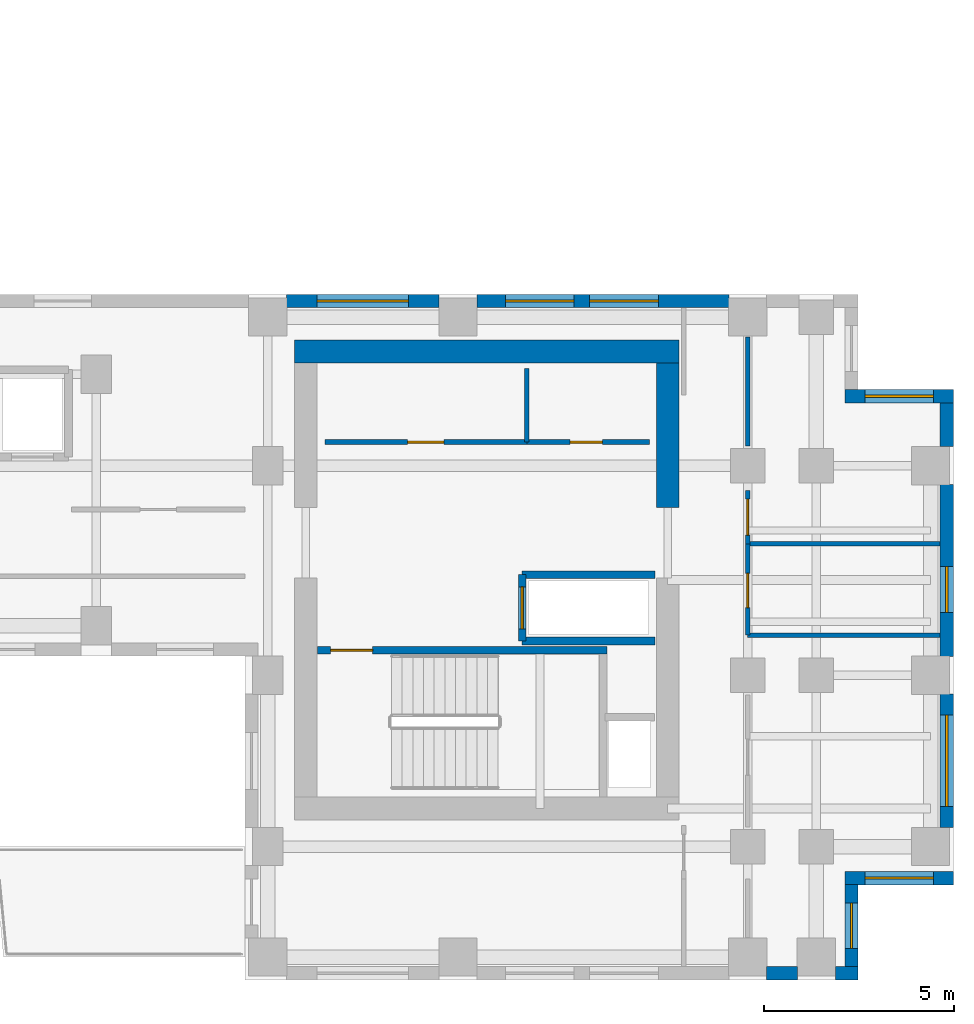
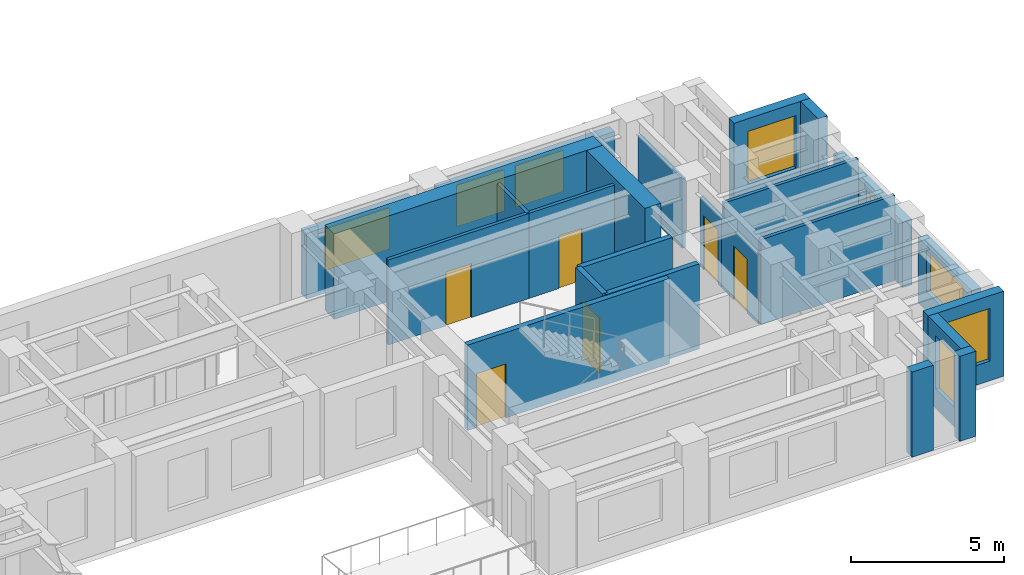
# One storey, part 7 of 12: 24 walls, 8 windows, 6 doors, 14 openings.
"""IFC4 building model written with IfcOpenShell, lengths in metres."""

from ifc_helpers import new_model, si_unit, direction, frame, frame_2d, origin, place, context, subcontext, project, spatial, rectangle, extrude, source, transform, mapped, material, layer, layer_set, type_object, element, fill, save


model = new_model("IFC4")

# Units and contexts
model_context = context("Model", 3, precision=1e-05, world=origin(), true_north=direction((0.0, 1.0)))
body_context = subcontext(model_context, "Body", "Model", "MODEL_VIEW")
ifc_project = project(units=[si_unit("LENGTHUNIT", "METRE"), si_unit("AREAUNIT", "SQUARE_METRE"), si_unit("VOLUMEUNIT", "CUBIC_METRE"), si_unit("PLANEANGLEUNIT", "RADIAN"), si_unit("MASSUNIT", "GRAM", prefix="KILO")], contexts=[model_context])

# Site, building, storey
site_placement = place(None, origin())
site = spatial("IfcSite", under=ifc_project, at=site_placement, CompositionType="ELEMENT")
building_placement = place(site_placement, origin())
building = spatial("IfcBuilding", under=site, at=building_placement, Name="Kharzan Plaza Tower", CompositionType="ELEMENT")
storey_placement = place(building_placement, frame((0.0, 0.0, 164.699951171875)))
storey = spatial("IfcBuildingStorey", under=building, at=storey_placement, Name="L44", CompositionType="ELEMENT", Elevation=164.699951171875)

# Wall, opening, window
ifc_material_1 = material(Name="Concrete C40/50", Category="concrete")
ifc_layer_1 = layer(ifc_material_1, 0.35009765625)
ifc_layer_set_1 = layer_set([ifc_layer_1], Name="Concrete C40/50")
wall_type_1 = type_object("IfcWallType", Name="WL-EXT-MAS-Z3", PredefinedType="SOLIDWALL", material=ifc_layer_set_1)
wall_1_placement = place(storey_placement, frame((50.324951171875, 0.347900390625, 0.0), z_axis=(0.0, 0.0, 1.0), x_axis=(0.0, 1.0, 0.0)))
wall_1 = element("IfcWall", 1, at=wall_1_placement, inside=storey, type_object=wall_type_1, Name="L44 Masonry-Frame Exterior Wall 35", PredefinedType="SOLIDWALL", context=body_context, shape_type="SweptSolid", body=[
    extrude(rectangle(XDim=2.154052734375, YDim=0.35009765625, at=frame_2d((1.0771484375, 0.0))), origin(), (0.0, 0.0, 1.0), 3.385009765625),
])
opening_1_placement = place(wall_1_placement, frame((0.47705078125, 0.0, 0.780029296875)))
opening_1 = element("IfcOpeningElement", 2, at=opening_1_placement, cuts=wall_1, Name="Opening W3", PredefinedType="OPENING", context=body_context, shape_type="SweptSolid", body=[
    extrude(rectangle(XDim=1.199951171875, YDim=2.10009765625, at=frame_2d((0.60009765625, 1.050048828125))), frame((0.0, 0.18505859375, 0.0), z_axis=(0.0, -1.0, 0.0), x_axis=(1.0, 0.0, 0.0)), (0.0, 0.0, 1.0), 0.3701171875),
])
ifc_material_2 = material(Name="Low-E Double Glazing", Category="glass")
window_type_1 = type_object("IfcWindowType", Name="WN-REC-1200x2100", PartitioningType="SINGLE_PANEL", PredefinedType="WINDOW", material=ifc_material_2)
shared_shape_1 = source(origin(), body_context, "Body", "SweptSolid", [
    extrude(rectangle(XDim=1.199951171875, YDim=2.10009765625, at=frame_2d((0.60009765625, 1.050048828125))), frame((0.0, 0.030029296875, 0.0), z_axis=(0.0, -1.0, 0.0), x_axis=(1.0, 0.0, 0.0)), (0.0, 0.0, 1.0), 0.06005859375),
])
window_1_placement = place(opening_1_placement, origin())
window_1 = element("IfcWindow", 3, at=window_1_placement, inside=storey, type_object=window_type_1, Name="L44 Recessed Solar-Control Window 35-1", OverallHeight=2.10009765625, OverallWidth=1.199951171875, PartitioningType="SINGLE_PANEL", PredefinedType="WINDOW", context=body_context, shape_type="MappedRepresentation", body=[
    mapped(shared_shape_1, transform((0.0, 0.0, 0.0), x_axis=(1.0, 0.0, 0.0), y_axis=(0.0, 1.0, 0.0), z_axis=(0.0, 0.0, 1.0))),
])
fill(opening_1, window_1)

wall_2_placement = place(storey_placement, frame((50.14990234375, 2.675048828125, 0.0), z_axis=(0.0, 0.0, 1.0), x_axis=(1.0, 0.0, 0.0)))
wall_2 = element("IfcWall", 4, at=wall_2_placement, inside=storey, type_object=wall_type_1, Name="L44 Masonry-Frame Exterior Wall 36", PredefinedType="SOLIDWALL", context=body_context, shape_type="SweptSolid", body=[
    extrude(rectangle(XDim=2.85009765625, YDim=0.35009765625, at=frame_2d((1.425048828125, 0.0))), origin(), (0.0, 0.0, 1.0), 3.385009765625),
])
opening_2_placement = place(wall_2_placement, frame((0.52490234375, 0.0, 0.780029296875)))
opening_2 = element("IfcOpeningElement", 5, at=opening_2_placement, cuts=wall_2, Name="Opening W1", PredefinedType="OPENING", context=body_context, shape_type="SweptSolid", body=[
    extrude(rectangle(XDim=1.800048828125, YDim=2.10009765625, at=frame_2d((0.89990234375, 1.050048828125))), frame((0.0, 0.18505859375, 0.0), z_axis=(0.0, -1.0, 0.0), x_axis=(1.0, 0.0, 0.0)), (0.0, 0.0, 1.0), 0.3701171875),
])
window_type_2 = type_object("IfcWindowType", Name="WN-REC-1800x2100", PartitioningType="SINGLE_PANEL", PredefinedType="WINDOW", material=ifc_material_2)
shared_shape_2 = source(origin(), body_context, "Body", "SweptSolid", [
    extrude(rectangle(XDim=1.800048828125, YDim=2.10009765625, at=frame_2d((0.89990234375, 1.050048828125))), frame((0.0, 0.030029296875, 0.0), z_axis=(0.0, -1.0, 0.0), x_axis=(1.0, 0.0, 0.0)), (0.0, 0.0, 1.0), 0.06005859375),
])
window_2_placement = place(opening_2_placement, origin())
window_2 = element("IfcWindow", 6, at=window_2_placement, inside=storey, type_object=window_type_2, Name="L44 Recessed Solar-Control Window 36-1", OverallHeight=2.10009765625, OverallWidth=1.800048828125, PartitioningType="SINGLE_PANEL", PredefinedType="WINDOW", context=body_context, shape_type="MappedRepresentation", body=[
    mapped(shared_shape_2, transform((0.0, 0.0, 0.0), x_axis=(1.0, 0.0, 0.0), y_axis=(0.0, 1.0, 0.0), z_axis=(0.0, 0.0, 1.0))),
])
fill(opening_2, window_2)

wall_3_placement = place(storey_placement, frame((52.824951171875, 3.998046875, 0.0), z_axis=(0.0, 0.0, 1.0), x_axis=(0.0, 1.0, 0.0)))
wall_3 = element("IfcWall", 7, at=wall_3_placement, inside=storey, type_object=wall_type_1, Name="L44 Masonry-Frame Exterior Wall 37", PredefinedType="SOLIDWALL", context=body_context, shape_type="SweptSolid", body=[
    extrude(rectangle(XDim=3.50390625, YDim=0.35009765625, at=frame_2d((1.751953125, 0.0))), origin(), (0.0, 0.0, 1.0), 2.612060546875),
])
opening_3_placement = place(wall_3_placement, frame((0.552001953125, 0.0, 0.780029296875)))
opening_3 = element("IfcOpeningElement", 8, at=opening_3_placement, cuts=wall_3, Name="Opening W2", PredefinedType="OPENING", context=body_context, shape_type="SweptSolid", body=[
    extrude(rectangle(XDim=2.39990234375, YDim=1.652099609375, at=frame_2d((1.199951171875, 0.826171875))), frame((0.0, 0.18505859375, 0.0), z_axis=(0.0, -1.0, 0.0), x_axis=(1.0, 0.0, 0.0)), (0.0, 0.0, 1.0), 0.3701171875),
])
window_type_3 = type_object("IfcWindowType", Name="WN-REC-2400x2100", PartitioningType="SINGLE_PANEL", PredefinedType="WINDOW", material=ifc_material_2)
shared_shape_3 = source(origin(), body_context, "Body", "SweptSolid", [
    extrude(rectangle(XDim=2.39990234375, YDim=1.652099609375, at=frame_2d((1.199951171875, 0.826171875))), frame((0.0, 0.030029296875, 0.0), z_axis=(0.0, -1.0, 0.0), x_axis=(1.0, 0.0, 0.0)), (0.0, 0.0, 1.0), 0.06005859375),
])
window_3_placement = place(opening_3_placement, origin())
window_3 = element("IfcWindow", 9, at=window_3_placement, inside=storey, type_object=window_type_3, Name="L44 Wide Recessed Solar-Control Window 37-1", OverallHeight=1.652099609375, OverallWidth=2.39990234375, PartitioningType="SINGLE_PANEL", PredefinedType="WINDOW", context=body_context, shape_type="MappedRepresentation", body=[
    mapped(shared_shape_3, transform((0.0, 0.0, 0.0), x_axis=(1.0, 0.0, 0.0), y_axis=(0.0, 1.0, 0.0), z_axis=(0.0, 0.0, 1.0))),
])
fill(opening_3, window_3)

wall_4_placement = place(storey_placement, frame((52.824951171875, 8.498046875, 0.0), z_axis=(0.0, 0.0, 1.0), x_axis=(0.0, 1.0, 0.0)))
wall_4 = element("IfcWall", 10, at=wall_4_placement, inside=storey, type_object=wall_type_1, Name="L44 Masonry-Frame Exterior Wall 38", PredefinedType="SOLIDWALL", context=body_context, shape_type="SweptSolid", body=[
    extrude(rectangle(XDim=4.50390625, YDim=0.35009765625, at=frame_2d((2.251953125, 0.0))), origin(), (0.0, 0.0, 1.0), 2.612060546875),
])
opening_4_placement = place(wall_4_placement, frame((1.152099609375, 0.0, 0.780029296875)))
opening_4 = element("IfcOpeningElement", 11, at=opening_4_placement, cuts=wall_4, Name="Opening W3", PredefinedType="OPENING", context=body_context, shape_type="SweptSolid", body=[
    extrude(rectangle(XDim=1.199951171875, YDim=1.652099609375, at=frame_2d((0.60009765625, 0.826171875))), frame((0.0, 0.18505859375, 0.0), z_axis=(0.0, -1.0, 0.0), x_axis=(1.0, 0.0, 0.0)), (0.0, 0.0, 1.0), 0.3701171875),
])
shared_shape_4 = source(origin(), body_context, "Body", "SweptSolid", [
    extrude(rectangle(XDim=1.199951171875, YDim=1.652099609375, at=frame_2d((0.60009765625, 0.826171875))), frame((0.0, 0.030029296875, 0.0), z_axis=(0.0, -1.0, 0.0), x_axis=(1.0, 0.0, 0.0)), (0.0, 0.0, 1.0), 0.06005859375),
])
window_4_placement = place(opening_4_placement, origin())
window_4 = element("IfcWindow", 12, at=window_4_placement, inside=storey, type_object=window_type_1, Name="L44 Recessed Solar-Control Window 38-1", OverallHeight=1.652099609375, OverallWidth=1.199951171875, PartitioningType="SINGLE_PANEL", PredefinedType="WINDOW", context=body_context, shape_type="MappedRepresentation", body=[
    mapped(shared_shape_4, transform((0.0, 0.0, 0.0), x_axis=(1.0, 0.0, 0.0), y_axis=(0.0, 1.0, 0.0), z_axis=(0.0, 0.0, 1.0))),
])
fill(opening_4, window_4)

wall_5_placement = place(storey_placement, frame((53.0, 15.324951171875, 0.0), z_axis=(0.0, 0.0, 1.0), x_axis=(-1.0, 0.0, 0.0)))
wall_5 = element("IfcWall", 13, at=wall_5_placement, inside=storey, type_object=wall_type_1, Name="L44 Masonry-Frame Exterior Wall 40", PredefinedType="SOLIDWALL", context=body_context, shape_type="SweptSolid", body=[
    extrude(rectangle(XDim=2.85009765625, YDim=0.35009765625, at=frame_2d((1.425048828125, 0.0))), origin(), (0.0, 0.0, 1.0), 3.385009765625),
])
opening_5_placement = place(wall_5_placement, frame((0.52490234375, 0.0, 0.780029296875)))
opening_5 = element("IfcOpeningElement", 14, at=opening_5_placement, cuts=wall_5, Name="Opening W1", PredefinedType="OPENING", context=body_context, shape_type="SweptSolid", body=[
    extrude(rectangle(XDim=1.800048828125, YDim=2.10009765625, at=frame_2d((0.89990234375, 1.050048828125))), frame((0.0, 0.18505859375, 0.0), z_axis=(0.0, -1.0, 0.0), x_axis=(1.0, 0.0, 0.0)), (0.0, 0.0, 1.0), 0.3701171875),
])
window_5_placement = place(opening_5_placement, origin())
window_5 = element("IfcWindow", 15, at=window_5_placement, inside=storey, type_object=window_type_2, Name="L44 Recessed Solar-Control Window 40-1", OverallHeight=2.10009765625, OverallWidth=1.800048828125, PartitioningType="SINGLE_PANEL", PredefinedType="WINDOW", context=body_context, shape_type="MappedRepresentation", body=[
    mapped(shared_shape_2, transform((0.0, 0.0, 0.0), x_axis=(1.0, 0.0, 0.0), y_axis=(0.0, 1.0, 0.0), z_axis=(0.0, 0.0, 1.0))),
])
fill(opening_5, window_5)

# Wall, openings, windows
wall_6_placement = place(storey_placement, frame((47.10205078125, 17.824951171875, 0.0), z_axis=(0.0, 0.0, 1.0), x_axis=(-1.0, 0.0, 0.0)))
wall_6 = element("IfcWall", 16, at=wall_6_placement, inside=storey, type_object=wall_type_1, Name="L44 Masonry-Frame Exterior Wall 44", PredefinedType="SOLIDWALL", context=body_context, shape_type="SweptSolid", body=[
    extrude(rectangle(XDim=6.60400390625, YDim=0.35009765625, at=frame_2d((3.302001953125, 0.0))), origin(), (0.0, 0.0, 1.0), 2.612060546875),
])
opening_6_placement = place(wall_6_placement, frame((1.849365234375, 0.0, 0.780029296875)))
opening_6 = element("IfcOpeningElement", 17, at=opening_6_placement, cuts=wall_6, Name="Opening W1", PredefinedType="OPENING", context=body_context, shape_type="SweptSolid", body=[
    extrude(rectangle(XDim=1.800048828125, YDim=1.652099609375, at=frame_2d((0.89990234375, 0.826171875))), frame((0.0, 0.18505859375, 0.0), z_axis=(0.0, -1.0, 0.0), x_axis=(1.0, 0.0, 0.0)), (0.0, 0.0, 1.0), 0.3701171875),
])
opening_7_placement = place(wall_6_placement, frame((4.066650390625, 0.0, 0.780029296875)))
opening_7 = element("IfcOpeningElement", 18, at=opening_7_placement, cuts=wall_6, Name="Opening W1", PredefinedType="OPENING", context=body_context, shape_type="SweptSolid", body=[
    extrude(rectangle(XDim=1.800048828125, YDim=1.652099609375, at=frame_2d((0.89990234375, 0.826171875))), frame((0.0, 0.18505859375, 0.0), z_axis=(0.0, -1.0, 0.0), x_axis=(1.0, 0.0, 0.0)), (0.0, 0.0, 1.0), 0.3701171875),
])
shared_shape_5 = source(origin(), body_context, "Body", "SweptSolid", [
    extrude(rectangle(XDim=1.800048828125, YDim=1.652099609375, at=frame_2d((0.89990234375, 0.826171875))), frame((0.0, 0.030029296875, 0.0), z_axis=(0.0, -1.0, 0.0), x_axis=(1.0, 0.0, 0.0)), (0.0, 0.0, 1.0), 0.06005859375),
])
window_6_placement = place(opening_6_placement, origin())
window_6 = element("IfcWindow", 19, at=window_6_placement, inside=storey, type_object=window_type_2, Name="L44 Recessed Solar-Control Window 44-1", OverallHeight=1.652099609375, OverallWidth=1.800048828125, PartitioningType="SINGLE_PANEL", PredefinedType="WINDOW", context=body_context, shape_type="MappedRepresentation", body=[
    mapped(shared_shape_5, transform((0.0, 0.0, 0.0), x_axis=(1.0, 0.0, 0.0), y_axis=(0.0, 1.0, 0.0), z_axis=(0.0, 0.0, 1.0))),
])
fill(opening_6, window_6)
window_7_placement = place(opening_7_placement, origin())
window_7 = element("IfcWindow", 20, at=window_7_placement, inside=storey, type_object=window_type_2, Name="L44 Recessed Solar-Control Window 44-2", OverallHeight=1.652099609375, OverallWidth=1.800048828125, PartitioningType="SINGLE_PANEL", PredefinedType="WINDOW", context=body_context, shape_type="MappedRepresentation", body=[
    mapped(shared_shape_5, transform((0.0, 0.0, 0.0), x_axis=(1.0, 0.0, 0.0), y_axis=(0.0, 1.0, 0.0), z_axis=(0.0, 0.0, 1.0))),
])
fill(opening_7, window_7)

# Wall, opening, window
wall_7_placement = place(storey_placement, frame((39.501953125, 17.824951171875, 0.0), z_axis=(0.0, 0.0, 1.0), x_axis=(-1.0, 0.0, 0.0)))
wall_7 = element("IfcWall", 21, at=wall_7_placement, inside=storey, type_object=wall_type_1, Name="L44 Masonry-Frame Exterior Wall 45", PredefinedType="SOLIDWALL", context=body_context, shape_type="SweptSolid", body=[
    extrude(rectangle(XDim=4.00390625, YDim=0.35009765625, at=frame_2d((2.001953125, 0.0))), origin(), (0.0, 0.0, 1.0), 2.612060546875),
])
opening_8_placement = place(wall_7_placement, frame((0.802001953125, 0.0, 0.780029296875)))
opening_8 = element("IfcOpeningElement", 22, at=opening_8_placement, cuts=wall_7, Name="Opening W2", PredefinedType="OPENING", context=body_context, shape_type="SweptSolid", body=[
    extrude(rectangle(XDim=2.39990234375, YDim=1.652099609375, at=frame_2d((1.199951171875, 0.826171875))), frame((0.0, 0.18505859375, 0.0), z_axis=(0.0, -1.0, 0.0), x_axis=(1.0, 0.0, 0.0)), (0.0, 0.0, 1.0), 0.3701171875),
])
window_8_placement = place(opening_8_placement, origin())
window_8 = element("IfcWindow", 23, at=window_8_placement, inside=storey, type_object=window_type_3, Name="L44 Wide Recessed Solar-Control Window 45-1", OverallHeight=1.652099609375, OverallWidth=2.39990234375, PartitioningType="SINGLE_PANEL", PredefinedType="WINDOW", context=body_context, shape_type="MappedRepresentation", body=[
    mapped(shared_shape_3, transform((0.0, 0.0, 0.0), x_axis=(1.0, 0.0, 0.0), y_axis=(0.0, 1.0, 0.0), z_axis=(0.0, 0.0, 1.0))),
])
fill(opening_8, window_8)

# Wall, opening, door
ifc_material_3 = material(Name="Fire-Rated Gypsum Board Partition", Category="gypsum")
ifc_layer_2 = layer(ifc_material_3, 0.125)
ifc_layer_set_2 = layer_set([ifc_layer_2], Name="Fire-Rated Gypsum Board Partition")
wall_type_2 = type_object("IfcWallType", Name="WL-INT-PART-125", PredefinedType="PARTITIONING", material=ifc_layer_set_2)
wall_8_placement = place(storey_placement, frame((36.5, 14.1201171875, 0.0), z_axis=(0.0, 0.0, 1.0), x_axis=(1.0, 0.0, 0.0)))
wall_8 = element("IfcWall", 24, at=wall_8_placement, inside=storey, type_object=wall_type_2, Name="L44 Interior Partition CB-RBLSA", PredefinedType="PARTITIONING", context=body_context, shape_type="SweptSolid", body=[
    extrude(rectangle(XDim=5.300048828125, YDim=0.125, at=frame_2d((2.64990234375, 0.0))), origin(), (0.0, 0.0, 1.0), 3.385009765625),
])
opening_9_placement = place(wall_8_placement, frame((2.175048828125, 0.0, 0.0)))
opening_9 = element("IfcOpeningElement", 25, at=opening_9_placement, cuts=wall_8, Name="Opening OD1", PredefinedType="OPENING", context=body_context, shape_type="SweptSolid", body=[
    extrude(rectangle(XDim=0.949951171875, YDim=2.14990234375, at=frame_2d((0.47509765625, 1.074951171875))), frame((0.0, 0.072509765625, 0.0), z_axis=(0.0, -1.0, 0.0), x_axis=(1.0, 0.0, 0.0)), (0.0, 0.0, 1.0), 0.14501953125),
])
ifc_material_4 = material(Name="Acoustic Solid-Core Stained Oak", Category="timber")
door_type_1 = type_object("IfcDoorType", Name="DR-OFF-SINGLE", OperationType="NOTDEFINED", PredefinedType="DOOR", material=ifc_material_4)
shared_shape_6 = source(origin(), body_context, "Body", "SweptSolid", [
    extrude(rectangle(XDim=0.949951171875, YDim=2.14990234375, at=frame_2d((0.47509765625, 1.074951171875))), frame((0.0, 0.02490234375, 0.0), z_axis=(0.0, -1.0, 0.0), x_axis=(1.0, 0.0, 0.0)), (0.0, 0.0, 1.0), 0.050048828125),
])
door_1_placement = place(opening_9_placement, origin())
door_1 = element("IfcDoor", 26, at=door_1_placement, inside=storey, type_object=door_type_1, Name="L44 Records Room Door", OperationType="SINGLE_SWING_LEFT", OverallHeight=2.14990234375, OverallWidth=0.949951171875, PredefinedType="DOOR", context=body_context, shape_type="MappedRepresentation", body=[
    mapped(shared_shape_6, transform((0.0, 0.0, 0.0), x_axis=(1.0, 0.0, 0.0), y_axis=(0.0, 1.0, 0.0), z_axis=(0.0, 0.0, 1.0))),
])
fill(opening_9, door_1)

wall_9_placement = place(storey_placement, frame((41.800048828125, 14.1201171875, 0.0), z_axis=(0.0, 0.0, 1.0), x_axis=(1.0, 0.0, 0.0)))
wall_9 = element("IfcWall", 27, at=wall_9_placement, inside=storey, type_object=wall_type_2, Name="L44 Interior Partition CB-RBLSB", PredefinedType="PARTITIONING", context=body_context, shape_type="SweptSolid", body=[
    extrude(rectangle(XDim=3.219970703125, YDim=0.125, at=frame_2d((1.60986328125, 0.0))), origin(), (0.0, 0.0, 1.0), 3.385009765625),
])
opening_10_placement = place(wall_9_placement, frame((1.135009765625, 0.0, 0.0)))
opening_10 = element("IfcOpeningElement", 28, at=opening_10_placement, cuts=wall_9, Name="Opening RD1", PredefinedType="OPENING", context=body_context, shape_type="SweptSolid", body=[
    extrude(rectangle(XDim=0.85009765625, YDim=2.10009765625, at=frame_2d((0.425048828125, 1.050048828125))), frame((0.0, 0.072509765625, 0.0), z_axis=(0.0, -1.0, 0.0), x_axis=(1.0, 0.0, 0.0)), (0.0, 0.0, 1.0), 0.14501953125),
])
ifc_material_5 = material(Name="Powder-Coated Fire-Rated Steel", Category="steel")
door_type_2 = type_object("IfcDoorType", Name="DR-RISER-900", OperationType="NOTDEFINED", PredefinedType="DOOR", material=ifc_material_5)
shared_shape_7 = source(origin(), body_context, "Body", "SweptSolid", [
    extrude(rectangle(XDim=0.85009765625, YDim=2.10009765625, at=frame_2d((0.425048828125, 1.050048828125))), frame((0.0, 0.02490234375, 0.0), z_axis=(0.0, -1.0, 0.0), x_axis=(1.0, 0.0, 0.0)), (0.0, 0.0, 1.0), 0.050048828125),
])
door_2_placement = place(opening_10_placement, origin())
door_2 = element("IfcDoor", 29, at=door_2_placement, inside=storey, type_object=door_type_2, Name="L44 Housekeeping Store Door", OperationType="SINGLE_SWING_RIGHT", OverallHeight=2.10009765625, OverallWidth=0.85009765625, PredefinedType="DOOR", context=body_context, shape_type="MappedRepresentation", body=[
    mapped(shared_shape_7, transform((0.0, 0.0, 0.0), x_axis=(1.0, 0.0, 0.0), y_axis=(0.0, 1.0, 0.0), z_axis=(0.0, 0.0, 1.0))),
])
fill(opening_10, door_2)

wall_10_placement = place(storey_placement, frame((47.60009765625, 11.449951171875, 0.0), z_axis=(0.0, 0.0, 1.0), x_axis=(0.0, 1.0, 0.0)))
wall_10 = element("IfcWall", 30, at=wall_10_placement, inside=storey, type_object=wall_type_2, Name="L44 Interior Partition SH-B1W1", PredefinedType="PARTITIONING", context=body_context, shape_type="SweptSolid", body=[
    extrude(rectangle(XDim=1.400146484375, YDim=0.125, at=frame_2d((0.7001953125, 0.0))), origin(), (0.0, 0.0, 1.0), 2.77294921875),
])
opening_11_placement = place(wall_10_placement, frame((0.22509765625, 0.0, 0.0)))
opening_11 = element("IfcOpeningElement", 31, at=opening_11_placement, cuts=wall_10, Name="Opening OD1", PredefinedType="OPENING", context=body_context, shape_type="SweptSolid", body=[
    extrude(rectangle(XDim=0.949951171875, YDim=2.14990234375, at=frame_2d((0.47509765625, 1.074951171875))), frame((0.0, 0.072509765625, 0.0), z_axis=(0.0, -1.0, 0.0), x_axis=(1.0, 0.0, 0.0)), (0.0, 0.0, 1.0), 0.14501953125),
])
door_3_placement = place(opening_11_placement, origin())
door_3 = element("IfcDoor", 32, at=door_3_placement, inside=storey, type_object=door_type_1, Name="L44 Wing B North Office Door", OperationType="SINGLE_SWING_LEFT", OverallHeight=2.14990234375, OverallWidth=0.949951171875, PredefinedType="DOOR", context=body_context, shape_type="MappedRepresentation", body=[
    mapped(shared_shape_6, transform((0.0, 0.0, 0.0), x_axis=(1.0, 0.0, 0.0), y_axis=(0.0, 1.0, 0.0), z_axis=(0.0, 0.0, 1.0))),
])
fill(opening_11, door_3)

wall_11_placement = place(storey_placement, frame((47.60009765625, 9.050048828125, 0.0), z_axis=(0.0, 0.0, 1.0), x_axis=(0.0, 1.0, 0.0)))
wall_11 = element("IfcWall", 33, at=wall_11_placement, inside=storey, type_object=wall_type_2, Name="L44 Interior Partition SH-B1WC", PredefinedType="PARTITIONING", context=body_context, shape_type="SweptSolid", body=[
    extrude(rectangle(XDim=2.39990234375, YDim=0.125, at=frame_2d((1.199951171875, 0.0))), origin(), (0.0, 0.0, 1.0), 2.77294921875),
])
opening_12_placement = place(wall_11_placement, frame((0.72509765625, 0.0, 0.0)))
opening_12 = element("IfcOpeningElement", 34, at=opening_12_placement, cuts=wall_11, Name="Opening WD1", PredefinedType="OPENING", context=body_context, shape_type="SweptSolid", body=[
    extrude(rectangle(XDim=0.89990234375, YDim=2.14990234375, at=frame_2d((0.449951171875, 1.074951171875))), frame((0.0, 0.072509765625, 0.0), z_axis=(0.0, -1.0, 0.0), x_axis=(1.0, 0.0, 0.0)), (0.0, 0.0, 1.0), 0.14501953125),
])
ifc_material_6 = material(Name="Moisture-Resistant Fire-Rated Laminate", Category="timber")
door_type_3 = type_object("IfcDoorType", Name="DR-WC-900", OperationType="NOTDEFINED", PredefinedType="DOOR", material=ifc_material_6)
shared_shape_8 = source(origin(), body_context, "Body", "SweptSolid", [
    extrude(rectangle(XDim=0.89990234375, YDim=2.14990234375, at=frame_2d((0.449951171875, 1.074951171875))), frame((0.0, 0.02490234375, 0.0), z_axis=(0.0, -1.0, 0.0), x_axis=(1.0, 0.0, 0.0)), (0.0, 0.0, 1.0), 0.050048828125),
])
door_4_placement = place(opening_12_placement, origin())
door_4 = element("IfcDoor", 35, at=door_4_placement, inside=storey, type_object=door_type_3, Name="L44 Wing B Washroom Door", OperationType="SINGLE_SWING_RIGHT", OverallHeight=2.14990234375, OverallWidth=0.89990234375, PredefinedType="DOOR", context=body_context, shape_type="MappedRepresentation", body=[
    mapped(shared_shape_8, transform((0.0, 0.0, 0.0), x_axis=(1.0, 0.0, 0.0), y_axis=(0.0, 1.0, 0.0), z_axis=(0.0, 0.0, 1.0))),
])
fill(opening_12, door_4)

ifc_layer_3 = layer(ifc_material_1, 0.199951171875)
ifc_layer_set_3 = layer_set([ifc_layer_3], Name="Concrete C40/50")
wall_type_3 = type_object("IfcWallType", Name="WL-INT-SHAFT-200", PredefinedType="PARTITIONING", material=ifc_layer_set_3)
wall_12_placement = place(storey_placement, frame((41.679931640625, 8.89990234375, 0.0), z_axis=(0.0, 0.0, 1.0), x_axis=(0.0, 1.0, 0.0)))
wall_12 = element("IfcWall", 36, at=wall_12_placement, inside=storey, type_object=wall_type_3, Name="L44 Interior Partition SHF-SVL-2-W", PredefinedType="PARTITIONING", context=body_context, shape_type="SweptSolid", body=[
    extrude(rectangle(XDim=1.739990234375, YDim=0.199951171875, at=frame_2d((0.8701171875, 0.0))), origin(), (0.0, 0.0, 1.0), 3.385009765625),
])
opening_13_placement = place(wall_12_placement, frame((0.320068359375, 0.0, 0.0)))
opening_13 = element("IfcOpeningElement", 37, at=opening_13_placement, cuts=wall_12, Name="Opening LD", PredefinedType="OPENING", context=body_context, shape_type="SweptSolid", body=[
    extrude(rectangle(XDim=1.10009765625, YDim=2.199951171875, at=frame_2d((0.550048828125, 1.10009765625))), frame((0.0, 0.10986328125, 0.0), z_axis=(0.0, -1.0, 0.0), x_axis=(1.0, 0.0, 0.0)), (0.0, 0.0, 1.0), 0.219970703125),
])
ifc_material_7 = material(Name="Brushed Stainless Steel", Category="steel")
door_type_4 = type_object("IfcDoorType", Name="DR-LIFT-SLIDE", OperationType="SLIDING_TO_LEFT", PredefinedType="DOOR", material=ifc_material_7)
shared_shape_9 = source(origin(), body_context, "Body", "SweptSolid", [
    extrude(rectangle(XDim=1.10009765625, YDim=2.199951171875, at=frame_2d((0.550048828125, 1.10009765625))), frame((0.0, 0.02490234375, 0.0), z_axis=(0.0, -1.0, 0.0), x_axis=(1.0, 0.0, 0.0)), (0.0, 0.0, 1.0), 0.050048828125),
])
door_5_placement = place(opening_13_placement, origin())
door_5 = element("IfcDoor", 38, at=door_5_placement, inside=storey, type_object=door_type_4, Name="L44 Service Lift SVL-2 Sliding Landing Door", OperationType="SLIDING_TO_LEFT", OverallHeight=2.199951171875, OverallWidth=1.10009765625, PredefinedType="DOOR", context=body_context, shape_type="MappedRepresentation", body=[
    mapped(shared_shape_9, transform((0.0, 0.0, 0.0), x_axis=(1.0, 0.0, 0.0), y_axis=(0.0, 1.0, 0.0), z_axis=(0.0, 0.0, 1.0))),
])
fill(opening_13, door_5)

ifc_material_8 = material(Name="Concrete C50/60", Category="concrete")
ifc_layer_4 = layer(ifc_material_8, 0.199951171875)
ifc_layer_set_4 = layer_set([ifc_layer_4], Name="Concrete C50/60")
wall_type_4 = type_object("IfcWallType", Name="WL-SHAFT-RC200", PredefinedType="SHEAR", material=ifc_layer_set_4)
wall_13_placement = place(storey_placement, frame((36.302001953125, 8.655029296875, 0.0), z_axis=(0.0, 0.0, 1.0), x_axis=(1.0, 0.0, 0.0)))
wall_13 = element("IfcWall", 39, at=wall_13_placement, inside=storey, type_object=wall_type_4, Name="L44 Stair ST-3 North RC Shaft Wall", PredefinedType="SHEAR", context=body_context, shape_type="SweptSolid", body=[
    extrude(rectangle(XDim=7.60302734375, YDim=0.199951171875, at=frame_2d((3.801513671875, 0.0))), origin(), (0.0, 0.0, 1.0), 3.400146484375),
])
opening_14_placement = place(wall_13_placement, frame((0.35009765625, 0.0, 0.0)))
opening_14 = element("IfcOpeningElement", 40, at=opening_14_placement, cuts=wall_13, Name="Opening SD1", PredefinedType="OPENING", context=body_context, shape_type="SweptSolid", body=[
    extrude(rectangle(XDim=1.10009765625, YDim=2.14990234375, at=frame_2d((0.550048828125, 1.074951171875))), frame((0.0, 0.10986328125, 0.0), z_axis=(0.0, -1.0, 0.0), x_axis=(1.0, 0.0, 0.0)), (0.0, 0.0, 1.0), 0.219970703125),
])
ifc_material_9 = material(Name="Fire-Rated Hollow Galvanized Steel", Category="steel")
door_type_5 = type_object("IfcDoorType", Name="DR-STAIR-FD120", OperationType="NOTDEFINED", PredefinedType="DOOR", material=ifc_material_9)
shared_shape_10 = source(origin(), body_context, "Body", "SweptSolid", [
    extrude(rectangle(XDim=1.10009765625, YDim=2.14990234375, at=frame_2d((0.550048828125, 1.074951171875))), frame((0.0, 0.02490234375, 0.0), z_axis=(0.0, -1.0, 0.0), x_axis=(1.0, 0.0, 0.0)), (0.0, 0.0, 1.0), 0.050048828125),
])
door_6_placement = place(opening_14_placement, origin())
door_6 = element("IfcDoor", 41, at=door_6_placement, inside=storey, type_object=door_type_5, Name="L44 Stair ST-3 Fire Exit Door", OperationType="SINGLE_SWING_RIGHT", OverallHeight=2.14990234375, OverallWidth=1.10009765625, PredefinedType="DOOR", context=body_context, shape_type="MappedRepresentation", body=[
    mapped(shared_shape_10, transform((0.0, 0.0, 0.0), x_axis=(1.0, 0.0, 0.0), y_axis=(0.0, 1.0, 0.0), z_axis=(0.0, 0.0, 1.0))),
])
fill(opening_14, door_6)

# Walls
shared_shape_11 = source(origin(), body_context, "Body", "SweptSolid", [
    extrude(rectangle(XDim=0.80419921875, YDim=0.35009765625, at=frame_2d((0.402099609375, 0.0))), origin(), (0.0, 0.0, 1.0), 3.385009765625),
])
wall_14_placement = place(storey_placement, frame((48.097900390625, 0.175048828125, 0.0), z_axis=(0.0, 0.0, 1.0), x_axis=(1.0, 0.0, 0.0)))
element("IfcWall", 42, at=wall_14_placement, inside=storey, type_object=wall_type_1, Name="L44 Masonry-Frame Exterior Wall 33", PredefinedType="SOLIDWALL", context=body_context, shape_type="MappedRepresentation", body=[
    mapped(shared_shape_11, transform((0.0, 0.0, 0.0), x_axis=(1.0, 0.0, 0.0), y_axis=(0.0, 1.0, 0.0), z_axis=(0.0, 0.0, 1.0))),
])
shared_shape_12 = source(origin(), body_context, "Body", "SweptSolid", [
    extrude(rectangle(XDim=0.60205078125, YDim=0.35009765625, at=frame_2d((0.301025390625, 0.0))), origin(), (0.0, 0.0, 1.0), 3.385009765625),
])
wall_15_placement = place(storey_placement, frame((49.89794921875, 0.175048828125, 0.0), z_axis=(0.0, 0.0, 1.0), x_axis=(1.0, 0.0, 0.0)))
element("IfcWall", 43, at=wall_15_placement, inside=storey, type_object=wall_type_1, Name="L44 Masonry-Frame Exterior Wall 34", PredefinedType="SOLIDWALL", context=body_context, shape_type="MappedRepresentation", body=[
    mapped(shared_shape_12, transform((0.0, 0.0, 0.0), x_axis=(1.0, 0.0, 0.0), y_axis=(0.0, 1.0, 0.0), z_axis=(0.0, 0.0, 1.0))),
])
shared_shape_13 = source(origin(), body_context, "Body", "SweptSolid", [
    extrude(rectangle(XDim=1.154052734375, YDim=0.35009765625, at=frame_2d((0.5771484375, 0.0))), origin(), (0.0, 0.0, 1.0), 3.385009765625),
])
wall_16_placement = place(storey_placement, frame((52.824951171875, 13.998046875, 0.0), z_axis=(0.0, 0.0, 1.0), x_axis=(0.0, 1.0, 0.0)))
element("IfcWall", 44, at=wall_16_placement, inside=storey, type_object=wall_type_1, Name="L44 Masonry-Frame Exterior Wall 39", PredefinedType="SOLIDWALL", context=body_context, shape_type="MappedRepresentation", body=[
    mapped(shared_shape_13, transform((0.0, 0.0, 0.0), x_axis=(1.0, 0.0, 0.0), y_axis=(0.0, 1.0, 0.0), z_axis=(0.0, 0.0, 1.0))),
])
shared_shape_14 = source(origin(), body_context, "Body", "SweptSolid", [
    extrude(rectangle(XDim=1.929931640625, YDim=0.125, at=frame_2d((0.96484375, 0.0))), origin(), (0.0, 0.0, 1.0), 3.385009765625),
])
wall_17_placement = place(storey_placement, frame((41.800048828125, 14.1201171875, 0.0), z_axis=(0.0, 0.0, 1.0), x_axis=(0.0, 1.0, 0.0)))
element("IfcWall", 45, at=wall_17_placement, inside=storey, type_object=wall_type_2, Name="L44 Interior Partition CB-RBLM2", PredefinedType="PARTITIONING", context=body_context, shape_type="MappedRepresentation", body=[
    mapped(shared_shape_14, transform((0.0, 0.0, 0.0), x_axis=(1.0, 0.0, 0.0), y_axis=(0.0, 1.0, 0.0), z_axis=(0.0, 0.0, 1.0))),
])
shared_shape_15 = source(origin(), body_context, "Body", "SweptSolid", [
    extrude(rectangle(XDim=5.0478515625, YDim=0.125, at=frame_2d((2.52392578125, 0.0))), origin(), (0.0, 0.0, 1.0), 3.385009765625),
])
for number, where, z_axis, x_axis, name in (
    (46, (47.60009765625, 11.449951171875, 0.0), (0.0, 0.0, 1.0), (1.0, 0.0, 0.0), "L44 Interior Partition SH-B1H-118"),
    (47, (47.60009765625, 9.050048828125, 0.0), (0.0, 0.0, 1.0), (1.0, 0.0, 0.0), "L44 Interior Partition SH-B1H-90"),
):
    element("IfcWall", number, at=place(storey_placement, frame(where, z_axis=z_axis, x_axis=x_axis)), inside=storey, type_object=wall_type_2, Name=name, PredefinedType="PARTITIONING", context=body_context, shape_type="MappedRepresentation", body=[
        mapped(shared_shape_15, transform((0.0, 0.0, 0.0), x_axis=(1.0, 0.0, 0.0), y_axis=(0.0, 1.0, 0.0), z_axis=(0.0, 0.0, 1.0))),
    ])
shared_shape_16 = source(origin(), body_context, "Body", "SweptSolid", [
    extrude(rectangle(XDim=2.85986328125, YDim=0.125, at=frame_2d((1.429931640625, 0.0))), origin(), (0.0, 0.0, 1.0), 2.77294921875),
])
wall_18_placement = place(storey_placement, frame((47.60009765625, 14.02001953125, 0.0), z_axis=(0.0, 0.0, 1.0), x_axis=(0.0, 1.0, 0.0)))
element("IfcWall", 48, at=wall_18_placement, inside=storey, type_object=wall_type_2, Name="L44 Interior Partition SH-B1W1N", PredefinedType="PARTITIONING", context=body_context, shape_type="MappedRepresentation", body=[
    mapped(shared_shape_16, transform((0.0, 0.0, 0.0), x_axis=(1.0, 0.0, 0.0), y_axis=(0.0, 1.0, 0.0), z_axis=(0.0, 0.0, 1.0))),
])
shared_shape_17 = source(origin(), body_context, "Body", "SweptSolid", [
    extrude(rectangle(XDim=3.489990234375, YDim=0.199951171875, at=frame_2d((1.7451171875, 0.0))), origin(), (0.0, 0.0, 1.0), 3.385009765625),
])
for number, where, z_axis, x_axis, name in (
    (49, (41.679931640625, 10.639892578125, 0.0), (0.0, 0.0, 1.0), (1.0, 0.0, 0.0), "L44 Interior Partition SHF-SVL-2-N"),
    (50, (41.679931640625, 8.89990234375, 0.0), (0.0, 0.0, 1.0), (1.0, 0.0, 0.0), "L44 Interior Partition SHF-SVL-2-S"),
):
    element("IfcWall", number, at=place(storey_placement, frame(where, z_axis=z_axis, x_axis=x_axis)), inside=storey, type_object=wall_type_3, Name=name, PredefinedType="PARTITIONING", context=body_context, shape_type="MappedRepresentation", body=[
        mapped(shared_shape_17, transform((0.0, 0.0, 0.0), x_axis=(1.0, 0.0, 0.0), y_axis=(0.0, 1.0, 0.0), z_axis=(0.0, 0.0, 1.0))),
    ])
ifc_layer_5 = layer(ifc_material_8, 0.60009765625)
ifc_layer_set_5 = layer_set([ifc_layer_5], Name="Concrete C50/60")
wall_type_5 = type_object("IfcWallType", Name="WL-CORE-600", PredefinedType="SHEAR", material=ifc_layer_set_5)
shared_shape_18 = source(origin(), body_context, "Body", "SweptSolid", [
    extrude(rectangle(XDim=3.800048828125, YDim=0.60009765625, at=frame_2d((1.89990234375, 0.0))), origin(), (0.0, 0.0, 1.0), 3.400146484375),
])
wall_19_placement = place(storey_placement, frame((45.5, 12.39990234375, 0.0), z_axis=(0.0, 0.0, 1.0), x_axis=(0.0, 1.0, 0.0)))
element("IfcWall", 51, at=wall_19_placement, inside=storey, type_object=wall_type_5, Name="L44 CORE-B east shear pier 2", PredefinedType="SHEAR", context=body_context, shape_type="MappedRepresentation", body=[
    mapped(shared_shape_18, transform((0.0, 0.0, 0.0), x_axis=(1.0, 0.0, 0.0), y_axis=(0.0, 1.0, 0.0), z_axis=(0.0, 0.0, 1.0))),
])
shared_shape_19 = source(origin(), body_context, "Body", "SweptSolid", [
    extrude(rectangle(XDim=10.10009765625, YDim=0.60009765625, at=frame_2d((5.050048828125, 0.0))), origin(), (0.0, 0.0, 1.0), 3.400146484375),
])
wall_20_placement = place(storey_placement, frame((35.699951171875, 16.5, 0.0), z_axis=(0.0, 0.0, 1.0), x_axis=(1.0, 0.0, 0.0)))
element("IfcWall", 52, at=wall_20_placement, inside=storey, type_object=wall_type_5, Name="L44 CORE-B north RC shear wall", PredefinedType="SHEAR", context=body_context, shape_type="MappedRepresentation", body=[
    mapped(shared_shape_19, transform((0.0, 0.0, 0.0), x_axis=(1.0, 0.0, 0.0), y_axis=(0.0, 1.0, 0.0), z_axis=(0.0, 0.0, 1.0))),
])

save(model, "model.ifc")
